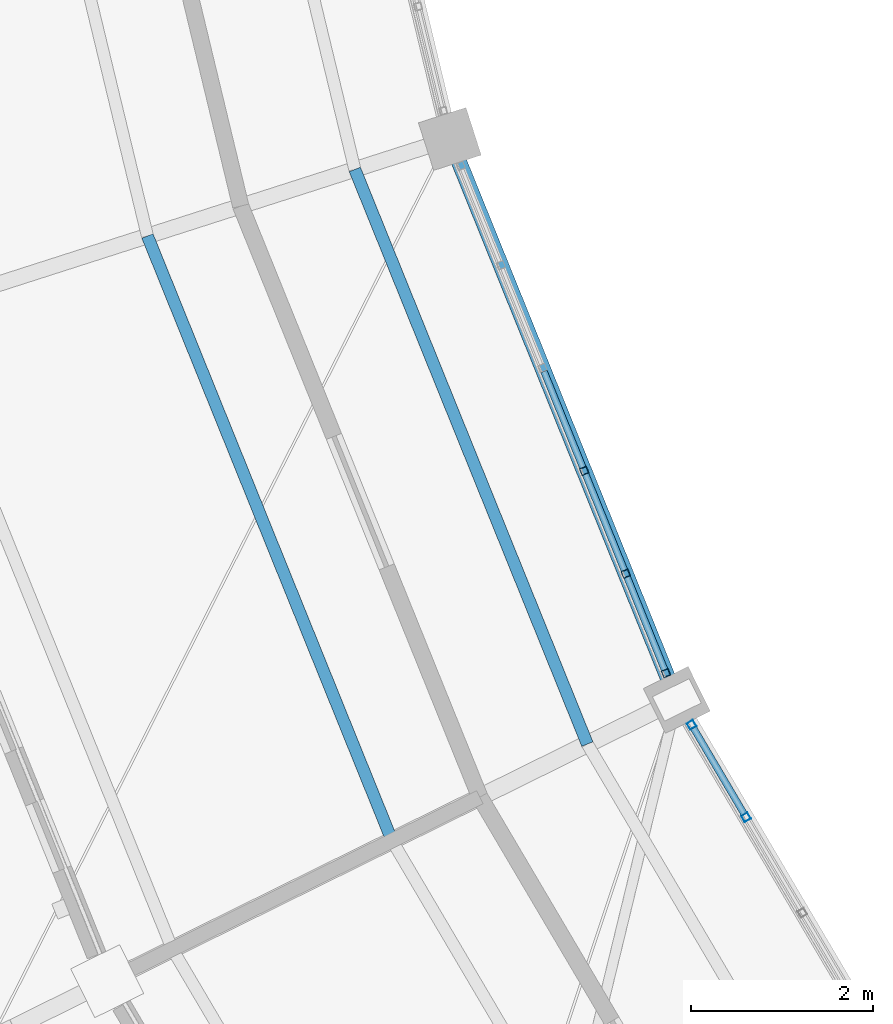
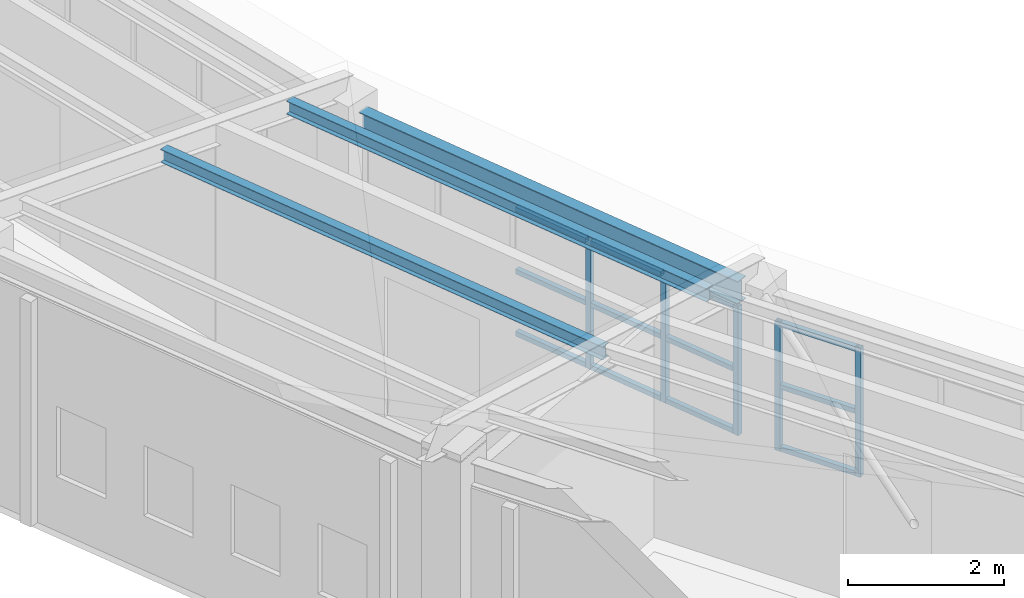
# One storey, part 24 of 149: 19 members, 1 beam, 2 elements without a shape of their own.
"""IFC4 building model written with IfcOpenShell, lengths in metres."""

from ifc_helpers import new_model, si_unit, direction, frame, origin, origin_2d, place, context, subcontext, project, spatial, hollow_rectangle, i_section, extrude, material, material_profile, profile_set, type_object, element, aggregate, save


model = new_model("IFC4")

# Units and contexts
model_context = context("Model", 3, precision=1e-05, world=origin(), true_north=direction((0.0, 1.0)))
body_context = subcontext(model_context, "Body", "Model", "MODEL_VIEW")
ifc_project = project(units=[si_unit("LENGTHUNIT", "METRE"), si_unit("AREAUNIT", "SQUARE_METRE"), si_unit("VOLUMEUNIT", "CUBIC_METRE"), si_unit("PLANEANGLEUNIT", "RADIAN"), si_unit("MASSUNIT", "GRAM", prefix="KILO")], contexts=[model_context])

# Site, building, storey
site_placement = place(None, origin())
site = spatial("IfcSite", under=ifc_project, at=site_placement, CompositionType="ELEMENT")
building_placement = place(site_placement, origin())
building = spatial("IfcBuilding", under=site, at=building_placement, Name="Celadon Cloister-Ring School", CompositionType="ELEMENT")
storey_placement = place(building_placement, frame((0.0, 0.0, 12.5)))
storey = spatial("IfcBuildingStorey", under=building, at=storey_placement, Name="L03", CompositionType="ELEMENT", Elevation=12.5)

# Curtain wall, members
ifc_material_1 = material(Name="Aluminium EN AW-6063 T6", Category="aluminium")
curtain_wall_type = type_object("IfcCurtainWallType", Name="CW-02", PredefinedType="USERDEFINED", material=ifc_material_1)
curtain_wall_1_placement = place(storey_placement, origin())
curtain_wall_1 = element("IfcCurtainWall", 1, at=curtain_wall_1_placement, inside=storey, type_object=curtain_wall_type, Name="Curtain Wall 0053", ObjectType="CURTAIN WALL", PredefinedType="USERDEFINED")
ifc_material_2 = material(Name="Aluminium EN AW-6063 T6", Category="aluminium")
ifc_material_profile_1 = material_profile(ifc_material_2, hollow_rectangle(XDim=0.080078125, YDim=0.080078125, WallThickness=0.00390625, at=origin_2d()), Name="RHS80X80X4")
ifc_profile_set_1 = profile_set([ifc_material_profile_1], Name="Aluminium EN AW-6063 T6")
member_type_1 = type_object("IfcMemberType", Name="CM-03", PredefinedType="MULLION", material=ifc_profile_set_1)
member_1_placement = place(storey_placement, frame((45.629638671875, 41.599609375, 0.0), z_axis=(0.0, 0.0, 1.0), x_axis=(0.927036236266, 0.37497175447, 0.0)))
member_1 = element("IfcMember", 2, at=member_1_placement, type_object=member_type_1, Name="CW-02 mullion 4", PredefinedType="MULLION", context=body_context, shape_type="SweptSolid", body=[
    extrude(hollow_rectangle(XDim=0.080078125, YDim=0.080078125, WallThickness=0.00390625, at=origin_2d()), origin(), (0.0, 0.0, 1.0), 2.02001953125),
])
member_2_placement = place(storey_placement, frame((46.087890625, 40.466796875, 0.0), z_axis=(0.0, 0.0, 1.0), x_axis=(0.927036236266, 0.37497175447, 0.0)))
member_2 = element("IfcMember", 3, at=member_2_placement, type_object=member_type_1, Name="CW-02 mullion 5", PredefinedType="MULLION", context=body_context, shape_type="SweptSolid", body=[
    extrude(hollow_rectangle(XDim=0.080078125, YDim=0.080078125, WallThickness=0.00390625, at=origin_2d()), origin(), (0.0, 0.0, 1.0), 2.02001953125),
])
member_3_placement = place(storey_placement, frame((46.531005859375, 39.37109375, 0.0), z_axis=(0.0, 0.0, 1.0), x_axis=(0.927036236266, 0.37497175447, 0.0)))
member_3 = element("IfcMember", 4, at=member_3_placement, type_object=member_type_1, Name="CW-02 mullion 6", PredefinedType="MULLION", context=body_context, shape_type="SweptSolid", body=[
    extrude(hollow_rectangle(XDim=0.080078125, YDim=0.080078125, WallThickness=0.00390625, at=origin_2d()), origin(), (0.0, 0.0, 1.0), 2.02001953125),
])

curtain_wall_2_placement = place(storey_placement, origin())
curtain_wall_2 = element("IfcCurtainWall", 5, at=curtain_wall_2_placement, inside=storey, type_object=curtain_wall_type, Name="Curtain Wall 0054", ObjectType="CURTAIN WALL", PredefinedType="USERDEFINED")
member_4_placement = place(storey_placement, frame((46.813232421875, 38.801513671875, 0.0), z_axis=(0.0, 0.0, 1.0), x_axis=(0.861424661152, 0.507885374036, 0.0)))
member_4 = element("IfcMember", 6, at=member_4_placement, type_object=member_type_1, Name="CW-02 mullion 1", PredefinedType="MULLION", context=body_context, shape_type="SweptSolid", body=[
    extrude(hollow_rectangle(XDim=0.080078125, YDim=0.080078125, WallThickness=0.00390625, at=origin_2d()), origin(), (0.0, 0.0, 1.0), 2.02001953125),
])
member_5_placement = place(storey_placement, frame((47.41357421875, 37.783447265625, 0.0), z_axis=(0.0, 0.0, 1.0), x_axis=(0.861424661152, 0.507885374036, 0.0)))
member_5 = element("IfcMember", 7, at=member_5_placement, type_object=member_type_1, Name="CW-02 mullion 2", PredefinedType="MULLION", context=body_context, shape_type="SweptSolid", body=[
    extrude(hollow_rectangle(XDim=0.080078125, YDim=0.080078125, WallThickness=0.00390625, at=origin_2d()), origin(), (0.0, 0.0, 1.0), 2.02001953125),
])

# Member
ifc_material_3 = material(Name="Aluminium EN AW-6063 T6", Category="aluminium")
ifc_material_profile_2 = material_profile(ifc_material_3, hollow_rectangle(XDim=0.074951171875, YDim=0.074951171875, WallThickness=0.00390625, at=origin_2d()), Name="RHS75X75X4")
ifc_profile_set_2 = profile_set([ifc_material_profile_2], Name="Aluminium EN AW-6063 T6")
member_type_2 = type_object("IfcMemberType", Name="CTM-03", PredefinedType="USERDEFINED", material=ifc_profile_set_2)
member_6_placement = place(storey_placement, frame((45.186279296875, 42.6953125, 0.03759765625), z_axis=(0.375000300919, -0.927024689159, 0.0), x_axis=(0.927024689159, 0.375000300919, 0.0)))
member_6 = element("IfcMember", 8, at=member_6_placement, type_object=member_type_2, Name="CW-02 transom 3.1", ObjectType="TRANSOM", PredefinedType="USERDEFINED", context=body_context, shape_type="SweptSolid", body=[
    extrude(hollow_rectangle(XDim=0.074951171875, YDim=0.074951171875, WallThickness=0.00390625, at=origin_2d()), origin(), (0.0, 0.0, 1.0), 1.141845703125),
])

member_7_placement = place(storey_placement, frame((45.186279296875, 42.6953125, 1.010009765625), z_axis=(0.375000300919, -0.927024689159, 0.0), x_axis=(0.927024689159, 0.375000300919, 0.0)))
member_7 = element("IfcMember", 9, at=member_7_placement, type_object=member_type_2, Name="CW-02 transom 3.2", ObjectType="TRANSOM", PredefinedType="USERDEFINED", context=body_context, shape_type="SweptSolid", body=[
    extrude(hollow_rectangle(XDim=0.074951171875, YDim=0.074951171875, WallThickness=0.00390625, at=origin_2d()), origin(), (0.0, 0.0, 1.0), 1.141845703125),
])

member_8_placement = place(storey_placement, frame((45.186279296875, 42.6953125, 1.982421875), z_axis=(0.375000300919, -0.927024689159, 0.0), x_axis=(0.927024689159, 0.375000300919, 0.0)))
member_8 = element("IfcMember", 10, at=member_8_placement, type_object=member_type_2, Name="CW-02 transom 3.3", ObjectType="TRANSOM", PredefinedType="USERDEFINED", context=body_context, shape_type="SweptSolid", body=[
    extrude(hollow_rectangle(XDim=0.074951171875, YDim=0.074951171875, WallThickness=0.00390625, at=origin_2d()), origin(), (0.0, 0.0, 1.0), 1.141845703125),
])

member_9_placement = place(storey_placement, frame((45.64453125, 41.5625, 0.03759765625), z_axis=(0.375000300919, -0.927024689159, 0.0), x_axis=(0.927024689159, 0.375000300919, 0.0)))
member_9 = element("IfcMember", 11, at=member_9_placement, type_object=member_type_2, Name="CW-02 transom 4.1", ObjectType="TRANSOM", PredefinedType="USERDEFINED", context=body_context, shape_type="SweptSolid", body=[
    extrude(hollow_rectangle(XDim=0.074951171875, YDim=0.074951171875, WallThickness=0.00390625, at=origin_2d()), origin(), (0.0, 0.0, 1.0), 1.141845703125),
])

member_10_placement = place(storey_placement, frame((45.64453125, 41.5625, 1.010009765625), z_axis=(0.375000300919, -0.927024689159, 0.0), x_axis=(0.927024689159, 0.375000300919, 0.0)))
member_10 = element("IfcMember", 12, at=member_10_placement, type_object=member_type_2, Name="CW-02 transom 4.2", ObjectType="TRANSOM", PredefinedType="USERDEFINED", context=body_context, shape_type="SweptSolid", body=[
    extrude(hollow_rectangle(XDim=0.074951171875, YDim=0.074951171875, WallThickness=0.00390625, at=origin_2d()), origin(), (0.0, 0.0, 1.0), 1.141845703125),
])

member_11_placement = place(storey_placement, frame((45.64453125, 41.5625, 1.982421875), z_axis=(0.375000300919, -0.927024689159, 0.0), x_axis=(0.927024689159, 0.375000300919, 0.0)))
member_11 = element("IfcMember", 13, at=member_11_placement, type_object=member_type_2, Name="CW-02 transom 4.3", ObjectType="TRANSOM", PredefinedType="USERDEFINED", context=body_context, shape_type="SweptSolid", body=[
    extrude(hollow_rectangle(XDim=0.074951171875, YDim=0.074951171875, WallThickness=0.00390625, at=origin_2d()), origin(), (0.0, 0.0, 1.0), 1.141845703125),
])

member_12_placement = place(storey_placement, frame((46.102783203125, 40.4296875, 0.03759765625), z_axis=(0.375093039512, -0.926987169118, 0.0), x_axis=(0.926987169118, 0.375093039512, 0.0)))
member_12 = element("IfcMember", 14, at=member_12_placement, type_object=member_type_2, Name="CW-02 transom 5.1", ObjectType="TRANSOM", PredefinedType="USERDEFINED", context=body_context, shape_type="SweptSolid", body=[
    extrude(hollow_rectangle(XDim=0.074951171875, YDim=0.074951171875, WallThickness=0.00390625, at=origin_2d()), origin(), (0.0, 0.0, 1.0), 1.10205078125),
])

member_13_placement = place(storey_placement, frame((46.102783203125, 40.4296875, 1.010009765625), z_axis=(0.375093039512, -0.926987169118, 0.0), x_axis=(0.926987169118, 0.375093039512, 0.0)))
member_13 = element("IfcMember", 15, at=member_13_placement, type_object=member_type_2, Name="CW-02 transom 5.2", ObjectType="TRANSOM", PredefinedType="USERDEFINED", context=body_context, shape_type="SweptSolid", body=[
    extrude(hollow_rectangle(XDim=0.074951171875, YDim=0.074951171875, WallThickness=0.00390625, at=origin_2d()), origin(), (0.0, 0.0, 1.0), 1.10205078125),
])

member_14_placement = place(storey_placement, frame((46.102783203125, 40.4296875, 1.982421875), z_axis=(0.375093039512, -0.926987169118, 0.0), x_axis=(0.926987169118, 0.375093039512, 0.0)))
member_14 = element("IfcMember", 16, at=member_14_placement, type_object=member_type_2, Name="CW-02 transom 5.3", ObjectType="TRANSOM", PredefinedType="USERDEFINED", context=body_context, shape_type="SweptSolid", body=[
    extrude(hollow_rectangle(XDim=0.074951171875, YDim=0.074951171875, WallThickness=0.00390625, at=origin_2d()), origin(), (0.0, 0.0, 1.0), 1.10205078125),
])

aggregate(curtain_wall_1, [member_1, member_2, member_3, member_6, member_7, member_8, member_9, member_10, member_11, member_12, member_13, member_14])

member_15_placement = place(storey_placement, frame((46.833740234375, 38.76708984375, 0.03759765625), z_axis=(0.507833265178, -0.861455381769, 0.0), x_axis=(0.861455381769, 0.507833265178, 0.0)))
member_15 = element("IfcMember", 17, at=member_15_placement, type_object=member_type_2, Name="CW-02 transom 1.1", ObjectType="TRANSOM", PredefinedType="USERDEFINED", context=body_context, shape_type="SweptSolid", body=[
    extrude(hollow_rectangle(XDim=0.074951171875, YDim=0.074951171875, WallThickness=0.00390625, at=origin_2d()), origin(), (0.0, 0.0, 1.0), 1.101806640625),
])

member_16_placement = place(storey_placement, frame((46.833740234375, 38.76708984375, 1.010009765625), z_axis=(0.507833265178, -0.861455381769, 0.0), x_axis=(0.861455381769, 0.507833265178, 0.0)))
member_16 = element("IfcMember", 18, at=member_16_placement, type_object=member_type_2, Name="CW-02 transom 1.2", ObjectType="TRANSOM", PredefinedType="USERDEFINED", context=body_context, shape_type="SweptSolid", body=[
    extrude(hollow_rectangle(XDim=0.074951171875, YDim=0.074951171875, WallThickness=0.00390625, at=origin_2d()), origin(), (0.0, 0.0, 1.0), 1.101806640625),
])

member_17_placement = place(storey_placement, frame((46.833740234375, 38.76708984375, 1.982421875), z_axis=(0.507833265178, -0.861455381769, 0.0), x_axis=(0.861455381769, 0.507833265178, 0.0)))
member_17 = element("IfcMember", 19, at=member_17_placement, type_object=member_type_2, Name="CW-02 transom 1.3", ObjectType="TRANSOM", PredefinedType="USERDEFINED", context=body_context, shape_type="SweptSolid", body=[
    extrude(hollow_rectangle(XDim=0.074951171875, YDim=0.074951171875, WallThickness=0.00390625, at=origin_2d()), origin(), (0.0, 0.0, 1.0), 1.101806640625),
])

aggregate(curtain_wall_2, [member_4, member_5, member_15, member_16, member_17])

# Beam
ifc_material_4 = material(Name="Structural steel S355JR", Category="steel")
ifc_material_profile_3 = material_profile(ifc_material_4, i_section(OverallWidth=0.1708984375, OverallDepth=0.35498046875, WebThickness=0.007080078125, FlangeThickness=0.01171875, at=origin_2d()), Name="W360X51")
ifc_profile_set_3 = profile_set([ifc_material_profile_3], Name="Structural steel S355JR")
beam_type = type_object("IfcBeamType", Name="GT-08", PredefinedType="USERDEFINED", material=ifc_profile_set_3)
beam_placement = place(storey_placement, frame((44.243896484375, 45.02392578125, 2.27197265625), z_axis=(0.375114995273, -0.926978284709, 0.0), x_axis=(0.926978284709, 0.375114995273, 0.0)))
element("IfcBeam", 20, at=beam_placement, inside=storey, type_object=beam_type, Name="Beam 0543", ObjectType="GIRDER", PredefinedType="USERDEFINED", context=body_context, shape_type="SweptSolid", body=[
    extrude(i_section(OverallWidth=0.1708984375, OverallDepth=0.35498046875, WebThickness=0.007080078125, FlangeThickness=0.01171875, at=origin_2d()), origin(), (0.0, 0.0, 1.0), 6.166015625),
])

# Members
ifc_material_5 = material(Name="Structural steel S355JR", Category="steel")
ifc_material_profile_4 = material_profile(ifc_material_5, i_section(OverallWidth=0.133056640625, OverallDepth=0.20703125, WebThickness=0.005859375, FlangeThickness=0.00830078125, at=origin_2d()), Name="W200X27")
ifc_profile_set_4 = profile_set([ifc_material_profile_4], Name="Structural steel S355JR")
member_type_3 = type_object("IfcMemberType", Name="MP-04", PredefinedType="PURLIN", material=ifc_profile_set_4)
member_18_placement = place(storey_placement, frame((43.10302734375, 44.919921875, 2.970947265625), z_axis=(0.375134982805, -0.926970196218, 0.0), x_axis=(0.926970196218, 0.375134982805, 0.0)))
element("IfcMember", 21, at=member_18_placement, inside=storey, type_object=member_type_3, Name="Structural Member 0122", PredefinedType="PURLIN", context=body_context, shape_type="SweptSolid", body=[
    extrude(i_section(OverallWidth=0.133056640625, OverallDepth=0.20703125, WebThickness=0.005859375, FlangeThickness=0.00830078125, at=origin_2d()), origin(), (0.0, 0.0, 1.0), 6.82958984375),
])
member_19_placement = place(storey_placement, frame((40.818115234375, 44.18701171875, 3.4599609375), z_axis=(0.37503149242, -0.927012070953, 0.0), x_axis=(0.927012070953, 0.37503149242, 0.0)))
element("IfcMember", 22, at=member_19_placement, inside=storey, type_object=member_type_3, Name="Structural Member 0123", PredefinedType="PURLIN", context=body_context, shape_type="SweptSolid", body=[
    extrude(i_section(OverallWidth=0.133056640625, OverallDepth=0.20703125, WebThickness=0.005859375, FlangeThickness=0.00830078125, at=origin_2d()), origin(), (0.0, 0.0, 1.0), 7.185546875),
])

save(model, "model.ifc")
